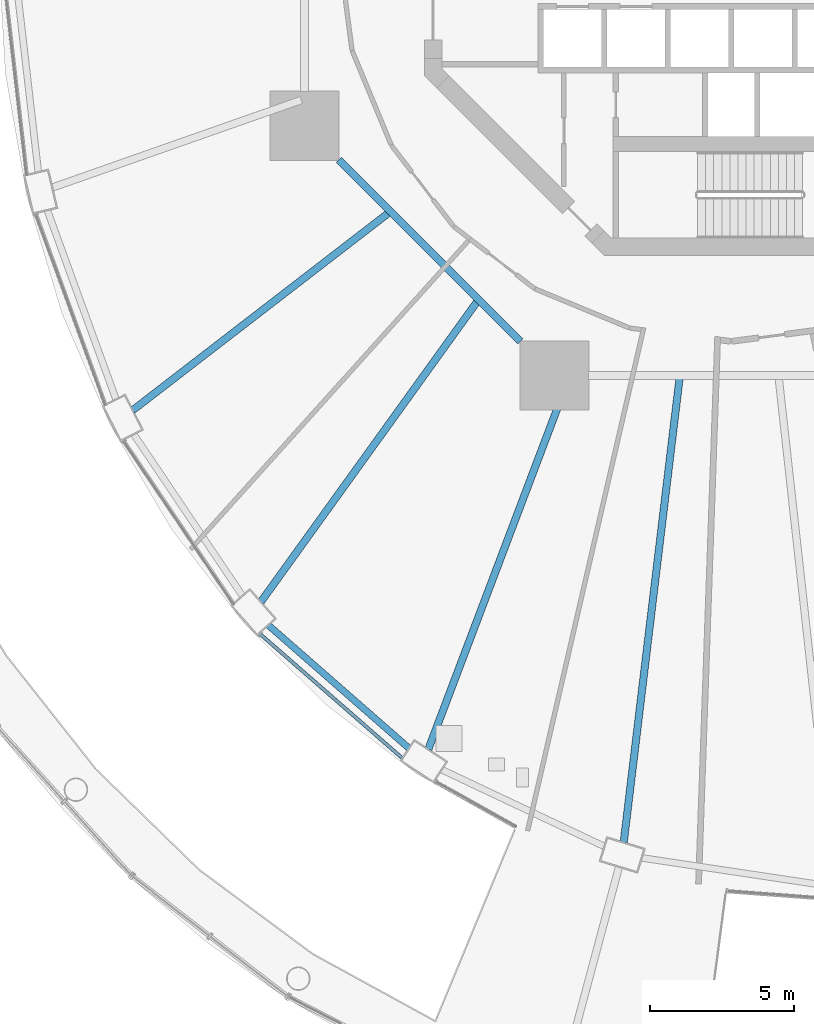
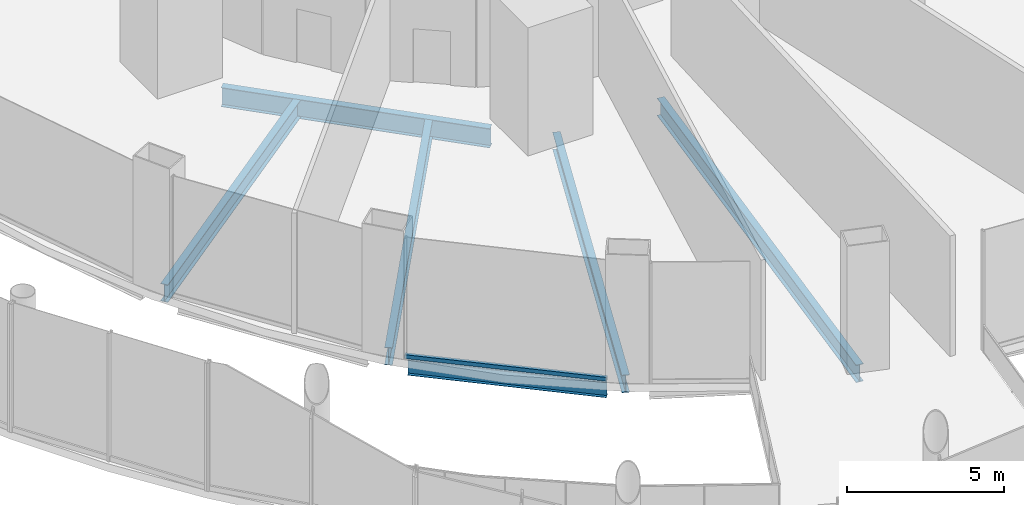
# One storey, part 7 of 47: 6 beams, 1 member, 1 element without a shape of its own.
"""IFC4 building model written with IfcOpenShell, lengths in metres."""

from ifc_helpers import new_model, si_unit, direction, frame, origin, origin_2d, place, context, subcontext, project, spatial, hollow_rectangle, i_section, extrude, material, layer, layer_set, material_profile, profile_set, type_object, element, aggregate, save


model = new_model("IFC4")

# Units and contexts
model_context = context("Model", 3, precision=1e-05, world=origin(), true_north=direction((0.0, 1.0)))
body_context = subcontext(model_context, "Body", "Model", "MODEL_VIEW")
ifc_project = project(units=[si_unit("LENGTHUNIT", "METRE"), si_unit("AREAUNIT", "SQUARE_METRE"), si_unit("VOLUMEUNIT", "CUBIC_METRE"), si_unit("PLANEANGLEUNIT", "RADIAN"), si_unit("MASSUNIT", "GRAM", prefix="KILO")], contexts=[model_context])

# Site, building, storey
site_placement = place(None, origin())
site = spatial("IfcSite", under=ifc_project, at=site_placement, CompositionType="ELEMENT")
building_placement = place(site_placement, origin())
building = spatial("IfcBuilding", under=site, at=building_placement, Name="Nagisa Residences", CompositionType="ELEMENT")
storey_placement = place(building_placement, frame((0.0, 0.0, 7.0)))
storey = spatial("IfcBuildingStorey", under=building, at=storey_placement, Name="L01", CompositionType="ELEMENT", Elevation=7.0)

# Curtain wall, member
ifc_material_1 = material(Name="Stainless steel curtain wall system", Category="steel")
ifc_layer = layer(ifc_material_1, 0.159912109375)
ifc_layer_set = layer_set([ifc_layer], Name="CW6 CURTAIN WALL")
curtain_wall_type = type_object("IfcCurtainWallType", Name="CW6 CURTAIN WALL", PredefinedType="NOTDEFINED", material=ifc_layer_set)
curtain_wall_placement = place(storey_placement, origin())
curtain_wall = element("IfcCurtainWall", 1, at=curtain_wall_placement, inside=storey, type_object=curtain_wall_type, Name="cw:CW6:L01:30", PredefinedType="NOTDEFINED")
ifc_material_2 = material(Name="Stainless steel", Category="steel")
ifc_material_profile_1 = material_profile(ifc_material_2, hollow_rectangle(XDim=0.1201171875, YDim=0.14990234375, WallThickness=0.008056640625, at=origin_2d()), Name="CW6 TRANSOM 120x150")
ifc_profile_set_1 = profile_set([ifc_material_profile_1], Name="Stainless steel")
member_type = type_object("IfcMemberType", Name="CW6 TRANSOM 120x150", PredefinedType="USERDEFINED", material=ifc_profile_set_1)
member_placement = place(storey_placement, frame((-16.326171875, -23.734619140625, 0.074951171875), z_axis=(0.753255020636, -0.657728571591, 0.0), x_axis=(0.657728571591, 0.753255020636, 0.0)))
member = element("IfcMember", 2, at=member_placement, type_object=member_type, Name="CW6 transom", ObjectType="TRANSOM", PredefinedType="USERDEFINED", context=body_context, shape_type="SweptSolid", body=[
    extrude(hollow_rectangle(XDim=0.1201171875, YDim=0.14990234375, WallThickness=0.008056640625, at=origin_2d()), origin(), (0.0, 0.0, 1.0), 6.5732421875),
])
aggregate(curtain_wall, [member])

# Beams
ifc_material_3 = material(Name="Steel ASTM A572 Gr 50", Category="steel")
ifc_material_profile_2 = material_profile(ifc_material_3, i_section(OverallWidth=0.264892578125, OverallDepth=0.7529296875, WebThickness=0.01318359375, FlangeThickness=0.01708984375, at=origin_2d()), Name="W760x147")
ifc_profile_set_2 = profile_set([ifc_material_profile_2], Name="Steel ASTM A572 Gr 50")
beam_type_1 = type_object("IfcBeamType", Name="Inner ring beam W760x147", PredefinedType="BEAM", material=ifc_profile_set_2)
beam_1_placement = place(storey_placement, frame((-13.59619140625, -7.308837890625, -0.676513671875), z_axis=(0.707106781187, -0.707106781187, 0.0), x_axis=(0.707106781187, 0.707106781187, 0.0)))
element("IfcBeam", 3, at=beam_1_placement, inside=storey, type_object=beam_type_1, Name="beam:L01:ib5", PredefinedType="BEAM", context=body_context, shape_type="SweptSolid", body=[
    extrude(i_section(OverallWidth=0.264892578125, OverallDepth=0.7529296875, WebThickness=0.01318359375, FlangeThickness=0.01708984375, at=origin_2d()), origin(), (0.0, 0.0, 1.0), 8.8916015625),
])
ifc_material_4 = material(Name="Steel ASTM A572 Gr 50", Category="steel")
ifc_material_profile_3 = material_profile(ifc_material_4, i_section(OverallWidth=0.22802734375, OverallDepth=0.60302734375, WebThickness=0.010498046875, FlangeThickness=0.014892578125, at=origin_2d()), Name="W610x101")
ifc_profile_set_3 = profile_set([ifc_material_profile_3], Name="Steel ASTM A572 Gr 50")
beam_type_2 = type_object("IfcBeamType", Name="Perimeter ring beam W610x101", PredefinedType="BEAM", material=ifc_profile_set_3)
beam_2_placement = place(storey_placement, frame((-16.0361328125, -23.432861328125, -0.6015625), z_axis=(0.752574357292, -0.658507279191, 0.0), x_axis=(0.658507279191, 0.752574357292, 0.0)))
element("IfcBeam", 4, at=beam_2_placement, inside=storey, type_object=beam_type_2, Name="beam:L01:pb16", PredefinedType="BEAM", context=body_context, shape_type="SweptSolid", body=[
    extrude(i_section(OverallWidth=0.22802734375, OverallDepth=0.60302734375, WebThickness=0.010498046875, FlangeThickness=0.014892578125, at=origin_2d()), origin(), (0.0, 0.0, 1.0), 6.47021484375),
])
ifc_material_5 = material(Name="Steel ASTM A572 Gr 50", Category="steel")
ifc_material_profile_4 = material_profile(ifc_material_5, i_section(OverallWidth=0.25390625, OverallDepth=0.68408203125, WebThickness=0.012451171875, FlangeThickness=0.018798828125, at=origin_2d()), Name="W690x140")
ifc_profile_set_4 = profile_set([ifc_material_profile_4], Name="Steel ASTM A572 Gr 50")
beam_type_3 = type_object("IfcBeamType", Name="Radial beam W690x140", PredefinedType="BEAM", material=ifc_profile_set_4)
beam_3_placement = place(storey_placement, frame((-20.73486328125, -15.982666015625, -0.64208984375), z_axis=(0.792016146736, 0.610500141941, 0.0), x_axis=(-0.610500141941, 0.792016146736, 0.0)))
element("IfcBeam", 5, at=beam_3_placement, inside=storey, type_object=beam_type_3, Name="beam:L01:rb15", PredefinedType="BEAM", context=body_context, shape_type="SweptSolid", body=[
    extrude(i_section(OverallWidth=0.25390625, OverallDepth=0.68408203125, WebThickness=0.012451171875, FlangeThickness=0.018798828125, at=origin_2d()), origin(), (0.0, 0.0, 1.0), 11.160888671875),
])
beam_4_placement = place(storey_placement, frame((-16.29443359375, -22.62255859375, -0.64208984375), z_axis=(0.58445507622, 0.811426068031, 0.0), x_axis=(-0.811426068031, 0.58445507622, 0.0)))
element("IfcBeam", 6, at=beam_4_placement, inside=storey, type_object=beam_type_3, Name="beam:L01:rb16", PredefinedType="BEAM", context=body_context, shape_type="SweptSolid", body=[
    extrude(i_section(OverallWidth=0.25390625, OverallDepth=0.68408203125, WebThickness=0.012451171875, FlangeThickness=0.018798828125, at=origin_2d()), origin(), (0.0, 0.0, 1.0), 12.78955078125),
])
beam_5_placement = place(storey_placement, frame((-10.493896484375, -27.7333984375, -0.64208984375), z_axis=(0.353887892206, 0.935287848606, 0.0), x_axis=(-0.935287848606, 0.353887892206, 0.0)))
element("IfcBeam", 7, at=beam_5_placement, inside=storey, type_object=beam_type_3, Name="beam:L01:rb17", PredefinedType="BEAM", context=body_context, shape_type="SweptSolid", body=[
    extrude(i_section(OverallWidth=0.25390625, OverallDepth=0.68408203125, WebThickness=0.012451171875, FlangeThickness=0.018798828125, at=origin_2d()), origin(), (0.0, 0.0, 1.0), 13.725830078125),
])
beam_6_placement = place(storey_placement, frame((-3.72412109375, -30.958740234375, -0.64208984375), z_axis=(0.119431411612, 0.992842453726, 0.0), x_axis=(-0.992842453726, 0.119431411612, 0.0)))
element("IfcBeam", 8, at=beam_6_placement, inside=storey, type_object=beam_type_3, Name="beam:L01:rb18", PredefinedType="BEAM", context=body_context, shape_type="SweptSolid", body=[
    extrude(i_section(OverallWidth=0.25390625, OverallDepth=0.68408203125, WebThickness=0.012451171875, FlangeThickness=0.018798828125, at=origin_2d()), origin(), (0.0, 0.0, 1.0), 16.1796875),
])

save(model, "model.ifc")
